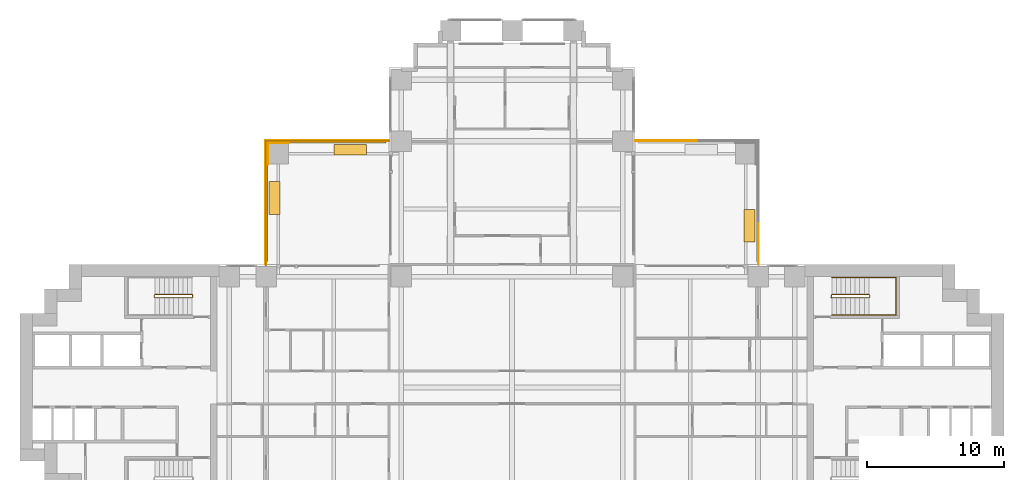
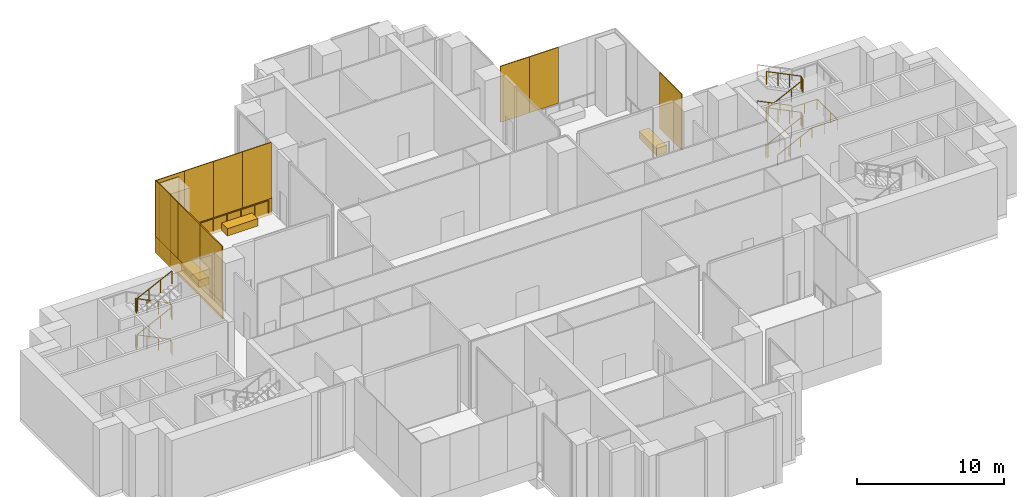
# One storey, part 16 of 17: 16 coverings, 4 railings.
"""IFC4 building model written with IfcOpenShell, lengths in metres."""

from ifc_helpers import new_model, si_unit, direction, frame, origin, origin_2d, place, context, subcontext, project, spatial, polyline, rectangle, outline, extrude, material, layer, layer_set, type_object, element, save


model = new_model("IFC4")

# Units and contexts
model_context = context("Model", 3, precision=1e-05, world=origin(), true_north=direction((0.0, 1.0)))
body_context = subcontext(model_context, "Body", "Model", "MODEL_VIEW")
ifc_project = project(units=[si_unit("LENGTHUNIT", "METRE"), si_unit("AREAUNIT", "SQUARE_METRE"), si_unit("VOLUMEUNIT", "CUBIC_METRE"), si_unit("PLANEANGLEUNIT", "RADIAN"), si_unit("MASSUNIT", "GRAM", prefix="KILO")], contexts=[model_context])

# Site, building, storey
site_placement = place(None, origin())
site = spatial("IfcSite", under=ifc_project, at=site_placement, CompositionType="ELEMENT")
building_placement = place(site_placement, origin())
building = spatial("IfcBuilding", under=site, at=building_placement, Name="Perihelion Cross Residences", CompositionType="ELEMENT")
storey_placement = place(building_placement, frame((0.0, 0.0, 21.0)))
storey = spatial("IfcBuildingStorey", under=building, at=storey_placement, Name="L02", CompositionType="ELEMENT", Elevation=21.0)

# Railing
ifc_material_1 = material(Name="Bronze anodised aluminium", Category="aluminium")
railing_type_1 = type_object("IfcRailingType", Name="Balcony guard 1100", PredefinedType="GUARDRAIL", material=ifc_material_1)
railing_1_placement = place(storey_placement, frame((-17.93994140625, 9.25, 0.0)))
element("IfcRailing", 1, at=railing_1_placement, inside=storey, type_object=railing_type_1, Name="Guard GU1 L02 pocket north-west 1", PredefinedType="GUARDRAIL", context=body_context, shape_type="SweptSolid", body=[
    extrude(rectangle(XDim=0.048095703125, YDim=0.048095703125, at=origin_2d()), frame((0.0, 0.0, 1.076171875), z_axis=(0.0, 1.0, 0.0), x_axis=(-1.0, 0.0, 0.0)), (0.0, 0.0, 1.0), 8.68994140625),
    extrude(rectangle(XDim=0.048095703125, YDim=0.048095703125, at=origin_2d()), frame((0.0, 8.68994140625, 1.076171875), z_axis=(1.0, 0.0, 0.0), x_axis=(0.0, 1.0, 0.0)), (0.0, 0.0, 1.0), 8.68994140625),
    extrude(rectangle(XDim=0.0419921875, YDim=0.0419921875, at=origin_2d()), origin(), (0.0, 0.0, 1.0), 1.052001953125),
    extrude(rectangle(XDim=0.0419921875, YDim=0.0419921875, at=origin_2d()), frame((0.0, 1.086181640625, 0.0)), (0.0, 0.0, 1.0), 1.052001953125),
    extrude(rectangle(XDim=0.0419921875, YDim=0.0419921875, at=origin_2d()), frame((0.0, 2.17236328125, 0.0)), (0.0, 0.0, 1.0), 1.052001953125),
    extrude(rectangle(XDim=0.0419921875, YDim=0.0419921875, at=origin_2d()), frame((0.0, 3.2587890625, 0.0)), (0.0, 0.0, 1.0), 1.052001953125),
    extrude(rectangle(XDim=0.0419921875, YDim=0.0419921875, at=origin_2d()), frame((0.0, 4.344970703125, 0.0)), (0.0, 0.0, 1.0), 1.052001953125),
    extrude(rectangle(XDim=0.0419921875, YDim=0.0419921875, at=origin_2d()), frame((0.0, 5.43115234375, 0.0)), (0.0, 0.0, 1.0), 1.052001953125),
    extrude(rectangle(XDim=0.0419921875, YDim=0.0419921875, at=origin_2d()), frame((0.0, 6.517578125, 0.0)), (0.0, 0.0, 1.0), 1.052001953125),
    extrude(rectangle(XDim=0.0419921875, YDim=0.0419921875, at=origin_2d()), frame((0.0, 7.603759765625, 0.0)), (0.0, 0.0, 1.0), 1.052001953125),
    extrude(rectangle(XDim=0.0419921875, YDim=0.0419921875, at=origin_2d()), frame((0.0, 8.68994140625, 0.0)), (0.0, 0.0, 1.0), 1.052001953125),
    extrude(rectangle(XDim=0.0419921875, YDim=0.0419921875, at=origin_2d()), frame((1.086181640625, 8.68994140625, 0.0)), (0.0, 0.0, 1.0), 1.052001953125),
    extrude(rectangle(XDim=0.0419921875, YDim=0.0419921875, at=origin_2d()), frame((2.17236328125, 8.68994140625, 0.0)), (0.0, 0.0, 1.0), 1.052001953125),
    extrude(rectangle(XDim=0.0419921875, YDim=0.0419921875, at=origin_2d()), frame((3.2587890625, 8.68994140625, 0.0)), (0.0, 0.0, 1.0), 1.052001953125),
    extrude(rectangle(XDim=0.0419921875, YDim=0.0419921875, at=origin_2d()), frame((4.344970703125, 8.68994140625, 0.0)), (0.0, 0.0, 1.0), 1.052001953125),
    extrude(rectangle(XDim=0.0419921875, YDim=0.0419921875, at=origin_2d()), frame((5.43115234375, 8.68994140625, 0.0)), (0.0, 0.0, 1.0), 1.052001953125),
    extrude(rectangle(XDim=0.0419921875, YDim=0.0419921875, at=origin_2d()), frame((6.517578125, 8.68994140625, 0.0)), (0.0, 0.0, 1.0), 1.052001953125),
    extrude(rectangle(XDim=0.0419921875, YDim=0.0419921875, at=origin_2d()), frame((7.603759765625, 8.68994140625, 0.0)), (0.0, 0.0, 1.0), 1.052001953125),
    extrude(rectangle(XDim=0.0419921875, YDim=0.0419921875, at=origin_2d()), frame((8.68994140625, 8.68994140625, 0.0)), (0.0, 0.0, 1.0), 1.052001953125),
])

# Coverings
ifc_material_2 = material(Name="Bronze anodised aluminium", Category="aluminium")
ifc_layer_1 = layer(ifc_material_2, 0.0400390625)
ifc_layer_set_1 = layer_set([ifc_layer_1], Name="Bronze column casing 40")
covering_type_1 = type_object("IfcCoveringType", Name="Bronze column casing 40", PredefinedType="CLADDING", material=ifc_layer_set_1)
covering_1_placement = place(storey_placement, frame((-17.8701171875, 17.10009765625, -0.300048828125), z_axis=(0.0, 0.0, 1.0), x_axis=(1.0, 0.0, 0.0)))
element("IfcCovering", 2, at=covering_1_placement, inside=storey, type_object=covering_type_1, Name="Cladding CC1 L02 casing east-west no. 2", PredefinedType="CLADDING", context=body_context, shape_type="SweptSolid", body=[
    extrude(rectangle(XDim=0.0400390625, YDim=1.580078125, at=origin_2d()), origin(), (0.0, 0.0, 1.0), 5.85009765625),
])
covering_2_placement = place(storey_placement, frame((-17.10009765625, 17.8701171875, -0.300048828125), z_axis=(0.0, 0.0, 1.0), x_axis=(1.0, 0.0, 0.0)))
element("IfcCovering", 3, at=covering_2_placement, inside=storey, type_object=covering_type_1, Name="Cladding CC1 L02 casing north-south no. 2", PredefinedType="CLADDING", context=body_context, shape_type="SweptSolid", body=[
    extrude(rectangle(XDim=1.5, YDim=0.0400390625, at=origin_2d()), origin(), (0.0, 0.0, 1.0), 5.85009765625),
])
ifc_material_3 = material(Name="Precast concrete C40/50", Category="concrete")
covering_type_2 = type_object("IfcCoveringType", Name="Planter box 2400", PredefinedType="USERDEFINED", material=ifc_material_3)
for number, where, z_axis, x_axis, name in (
    (4, (17.389892578125, 11.830078125, 0.0), (0.0, 0.0, 1.0), (0.0, -1.0, 0.0), "Planter PT1 L02 pocket north-east 2"),
    (5, (-17.389892578125, 13.85009765625, 0.0), (0.0, 0.0, 1.0), (0.0, 1.0, 0.0), "Planter PT1 L02 pocket north-west 1"),
    (6, (-11.830078125, 17.389892578125, 0.0), (0.0, 0.0, 1.0), (1.0, 0.0, 0.0), "Planter PT1 L02 pocket north-west 2"),
):
    element("IfcCovering", number, at=place(storey_placement, frame(where, z_axis=z_axis, x_axis=x_axis)), inside=storey, type_object=covering_type_2, Name=name, ObjectType="PLANTER", PredefinedType="USERDEFINED", context=body_context, shape_type="SweptSolid", body=[
        extrude(rectangle(XDim=2.39990234375, YDim=0.800048828125, at=origin_2d()), origin(), (0.0, 0.0, 1.0), 0.60009765625),
    ])
ifc_material_4 = material(Name="Bronze anodised aluminium", Category="aluminium")
ifc_layer_2 = layer(ifc_material_4, 0.070068359375)
ifc_layer_set_2 = layer_set([ifc_layer_2], Name="Pocket fascia 1350")
covering_type_3 = type_object("IfcCoveringType", Name="Pocket fascia 1350", PredefinedType="CLADDING", material=ifc_layer_set_2)
covering_3_placement = place(storey_placement, frame((0.0, 0.0, -0.25)))
element("IfcCovering", 7, at=covering_3_placement, inside=storey, type_object=covering_type_3, Name="Fascia BF2 L02 pocket north-west 1", PredefinedType="CLADDING", context=body_context, shape_type="SweptSolid", body=[
    extrude(outline(polyline([(-18.070068359375, 8.929931640625), (-18.0, 8.929931640625), (-18.0, 9.0), (-18.0, 9.0), (-18.0, 18.0), (-9.0, 18.0), (-9.0, 18.0), (-8.929931640625, 18.0), (-8.929931640625, 18.070068359375), (-18.070068359375, 18.070068359375), (-18.070068359375, 8.929931640625)])), origin(), (0.0, 0.0, 1.0), 1.35009765625),
])
ifc_material_5 = material(Name="Bronze perforated aluminium", Category="aluminium")
ifc_layer_3 = layer(ifc_material_5, 0.070068359375)
ifc_layer_set_3 = layer_set([ifc_layer_3], Name="Pocket solar screen, bronze perforated")
covering_type_4 = type_object("IfcCoveringType", Name="Pocket solar screen, bronze perforated", PredefinedType="CLADDING", material=ifc_layer_set_3)
covering_4_placement = place(storey_placement, frame((0.0, 0.0, 1.10009765625)))
element("IfcCovering", 8, at=covering_4_placement, inside=storey, type_object=covering_type_4, Name="Solar screen PS1 L02 pocket north-east no. 1", PredefinedType="CLADDING", context=body_context, shape_type="SweptSolid", body=[
    extrude(outline(polyline([(18.070068359375, 9.0), (18.070068359375, 12.0), (18.0, 12.0), (18.0, 9.0), (18.070068359375, 9.0)])), origin(), (0.0, 0.0, 1.0), 4.64990234375),
])
covering_5_placement = place(storey_placement, frame((0.0, 0.0, 1.10009765625)))
element("IfcCovering", 9, at=covering_5_placement, inside=storey, type_object=covering_type_4, Name="Solar screen PS1 L02 pocket north-east no. 4", PredefinedType="CLADDING", context=body_context, shape_type="SweptSolid", body=[
    extrude(outline(polyline([(11.267578125, 18.0), (11.267578125, 18.070068359375), (9.0, 18.070068359375), (9.0, 18.0), (11.267578125, 18.0)])), origin(), (0.0, 0.0, 1.0), 4.64990234375),
])
covering_6_placement = place(storey_placement, frame((0.0, 0.0, 1.10009765625)))
element("IfcCovering", 10, at=covering_6_placement, inside=storey, type_object=covering_type_4, Name="Solar screen PS1 L02 pocket north-east no. 5", PredefinedType="CLADDING", context=body_context, shape_type="SweptSolid", body=[
    extrude(outline(polyline([(13.534912109375, 18.0), (13.534912109375, 18.070068359375), (11.267578125, 18.070068359375), (11.267578125, 18.0), (13.534912109375, 18.0)])), origin(), (0.0, 0.0, 1.0), 4.64990234375),
])
covering_7_placement = place(storey_placement, frame((0.0, 0.0, 1.10009765625)))
element("IfcCovering", 11, at=covering_7_placement, inside=storey, type_object=covering_type_4, Name="Solar screen PS1 L02 pocket north-west no. 1", PredefinedType="CLADDING", context=body_context, shape_type="SweptSolid", body=[
    extrude(outline(polyline([(-18.0, 9.0), (-18.0, 12.0), (-18.070068359375, 12.0), (-18.070068359375, 9.0), (-18.0, 9.0)])), origin(), (0.0, 0.0, 1.0), 4.64990234375),
])
covering_8_placement = place(storey_placement, frame((0.0, 0.0, 1.10009765625)))
element("IfcCovering", 12, at=covering_8_placement, inside=storey, type_object=covering_type_4, Name="Solar screen PS1 L02 pocket north-west no. 2", PredefinedType="CLADDING", context=body_context, shape_type="SweptSolid", body=[
    extrude(outline(polyline([(-18.0, 12.0), (-18.0, 15.0), (-18.070068359375, 15.0), (-18.070068359375, 12.0), (-18.0, 12.0)])), origin(), (0.0, 0.0, 1.0), 4.64990234375),
])
covering_9_placement = place(storey_placement, frame((0.0, 0.0, 1.10009765625)))
element("IfcCovering", 13, at=covering_9_placement, inside=storey, type_object=covering_type_4, Name="Solar screen PS1 L02 pocket north-west no. 3", PredefinedType="CLADDING", context=body_context, shape_type="SweptSolid", body=[
    extrude(outline(polyline([(-18.0, 15.0), (-18.0, 18.0), (-18.070068359375, 18.0), (-18.070068359375, 15.0), (-18.0, 15.0)])), origin(), (0.0, 0.0, 1.0), 4.64990234375),
])
covering_10_placement = place(storey_placement, frame((0.0, 0.0, 1.10009765625)))
element("IfcCovering", 14, at=covering_10_placement, inside=storey, type_object=covering_type_4, Name="Solar screen PS1 L02 pocket north-west no. 4", PredefinedType="CLADDING", context=body_context, shape_type="SweptSolid", body=[
    extrude(outline(polyline([(-15.802490234375, 18.0), (-15.802490234375, 18.070068359375), (-18.070068359375, 18.070068359375), (-18.070068359375, 18.0), (-15.802490234375, 18.0)])), origin(), (0.0, 0.0, 1.0), 4.64990234375),
])
covering_11_placement = place(storey_placement, frame((0.0, 0.0, 1.10009765625)))
element("IfcCovering", 15, at=covering_11_placement, inside=storey, type_object=covering_type_4, Name="Solar screen PS1 L02 pocket north-west no. 5", PredefinedType="CLADDING", context=body_context, shape_type="SweptSolid", body=[
    extrude(outline(polyline([(-13.534912109375, 18.0), (-13.534912109375, 18.070068359375), (-15.802490234375, 18.070068359375), (-15.802490234375, 18.0), (-13.534912109375, 18.0)])), origin(), (0.0, 0.0, 1.0), 4.64990234375),
])
covering_12_placement = place(storey_placement, frame((0.0, 0.0, 1.10009765625)))
element("IfcCovering", 16, at=covering_12_placement, inside=storey, type_object=covering_type_4, Name="Solar screen PS1 L02 pocket north-west no. 6", PredefinedType="CLADDING", context=body_context, shape_type="SweptSolid", body=[
    extrude(outline(polyline([(-11.267578125, 18.0), (-11.267578125, 18.070068359375), (-13.534912109375, 18.070068359375), (-13.534912109375, 18.0), (-11.267578125, 18.0)])), origin(), (0.0, 0.0, 1.0), 4.64990234375),
])
covering_13_placement = place(storey_placement, frame((0.0, 0.0, 1.10009765625)))
element("IfcCovering", 17, at=covering_13_placement, inside=storey, type_object=covering_type_4, Name="Solar screen PS1 L02 pocket north-west no. 7", PredefinedType="CLADDING", context=body_context, shape_type="SweptSolid", body=[
    extrude(outline(polyline([(-9.0, 18.0), (-9.0, 18.070068359375), (-11.267578125, 18.070068359375), (-11.267578125, 18.0), (-9.0, 18.0)])), origin(), (0.0, 0.0, 1.0), 4.64990234375),
])

# Railings
ifc_material_6 = material(Name="Stainless steel", Category="steel")
railing_type_2 = type_object("IfcRailingType", Name="Stair guard 1100", PredefinedType="GUARDRAIL", material=ifc_material_6)
railing_2_placement = place(storey_placement, frame((23.35009765625, 6.75, 0.0)))
element("IfcRailing", 18, at=railing_2_placement, inside=storey, type_object=railing_type_2, Name="L02 ST-E1 stair guard 1", PredefinedType="GUARDRAIL", context=body_context, shape_type="SweptSolid", body=[
    extrude(rectangle(XDim=0.048095703125, YDim=0.048095703125, at=origin_2d()), frame((0.0, 0.0, 1.076171875), z_axis=(0.0, -1.0, 0.0), x_axis=(1.0, 0.0, 0.0)), (0.0, 0.0, 1.0), 0.14990234375),
    extrude(rectangle(XDim=0.048095703125, YDim=0.048095703125, at=origin_2d()), frame((0.0, -0.14990234375, 1.076171875), z_axis=(0.275041040955, -0.276389281352, 0.920848191041), x_axis=(0.708833529934, 0.705375805398, 0.0)), (0.0, 0.0, 1.0), 0.18115234375),
    extrude(rectangle(XDim=0.048095703125, YDim=0.048095703125, at=origin_2d()), frame((0.0498046875, -0.199951171875, 1.24267578125), z_axis=(0.897945078525, 0.0, 0.440107527717), x_axis=(0.0, 1.0, 0.0)), (0.0, 0.0, 1.0), 3.029296875),
    extrude(rectangle(XDim=0.048095703125, YDim=0.048095703125, at=origin_2d()), frame((2.77001953125, -0.199951171875, 2.576171875), z_axis=(0.705375805398, 0.708833529934, 0.0), x_axis=(-0.708833529934, 0.705375805398, 0.0)), (0.0, 0.0, 1.0), 0.070556640625),
    extrude(rectangle(XDim=0.048095703125, YDim=0.048095703125, at=origin_2d()), frame((2.81982421875, -0.14990234375, 2.576171875), z_axis=(0.0, 1.0, 0.0), x_axis=(-1.0, 0.0, 0.0)), (0.0, 0.0, 1.0), 0.14990234375),
    extrude(rectangle(XDim=0.048095703125, YDim=0.048095703125, at=origin_2d()), frame((2.81982421875, 0.0, 2.576171875), z_axis=(-0.275041040955, 0.276389281352, 0.920848191041), x_axis=(-0.708833529934, -0.705375805398, 0.0)), (0.0, 0.0, 1.0), 0.18115234375),
    extrude(rectangle(XDim=0.048095703125, YDim=0.048095703125, at=origin_2d()), frame((2.77001953125, 0.050048828125, 2.74267578125), z_axis=(-0.897945078525, 0.0, 0.440107527717), x_axis=(0.0, -1.0, 0.0)), (0.0, 0.0, 1.0), 3.029296875),
    extrude(rectangle(XDim=0.048095703125, YDim=0.048095703125, at=origin_2d()), frame((0.0498046875, 0.050048828125, 4.076171875), z_axis=(-0.241699205484, -0.970351222016, 0.0), x_axis=(0.970351222016, -0.241699205484, 0.0)), (0.0, 0.0, 1.0), 0.2060546875),
    extrude(rectangle(XDim=0.048095703125, YDim=0.048095703125, at=origin_2d()), frame((0.0, -0.14990234375, 4.076171875), z_axis=(0.0, 1.0, 0.0), x_axis=(-1.0, 0.0, 0.0)), (0.0, 0.0, 1.0), 0.14990234375),
    extrude(rectangle(XDim=0.048095703125, YDim=0.048095703125, at=origin_2d()), frame((0.0, 0.0, 4.076171875), z_axis=(0.1878875253, -0.754313153044, 0.629054802844), x_axis=(0.970351222016, 0.241699205484, 0.0)), (0.0, 0.0, 1.0), 0.26513671875),
    extrude(rectangle(XDim=0.048095703125, YDim=0.048095703125, at=origin_2d()), frame((0.0498046875, -0.199951171875, 4.24267578125), z_axis=(0.897945078525, 0.0, 0.440107527717), x_axis=(0.0, 1.0, 0.0)), (0.0, 0.0, 1.0), 3.029296875),
    extrude(rectangle(XDim=0.048095703125, YDim=0.048095703125, at=origin_2d()), frame((2.77001953125, -0.199951171875, 5.576171875), z_axis=(0.705375805398, 0.708833529934, 0.0), x_axis=(-0.708833529934, 0.705375805398, 0.0)), (0.0, 0.0, 1.0), 0.070556640625),
    extrude(rectangle(XDim=0.048095703125, YDim=0.048095703125, at=origin_2d()), frame((2.81982421875, -0.14990234375, 5.576171875), z_axis=(0.0, 1.0, 0.0), x_axis=(-1.0, 0.0, 0.0)), (0.0, 0.0, 1.0), 0.14990234375),
    extrude(rectangle(XDim=0.048095703125, YDim=0.048095703125, at=origin_2d()), frame((2.81982421875, 0.0, 5.576171875), z_axis=(-0.275041040955, 0.276389281352, 0.920848191041), x_axis=(-0.708833529934, -0.705375805398, 0.0)), (0.0, 0.0, 1.0), 0.18115234375),
    extrude(rectangle(XDim=0.048095703125, YDim=0.048095703125, at=origin_2d()), frame((2.77001953125, 0.050048828125, 5.74267578125), z_axis=(-0.897945078525, 0.0, 0.440107527717), x_axis=(0.0, -1.0, 0.0)), (0.0, 0.0, 1.0), 3.029296875),
    extrude(rectangle(XDim=0.0419921875, YDim=0.0419921875, at=origin_2d()), origin(), (0.0, 0.0, 1.0), 1.052001953125),
    extrude(rectangle(XDim=0.0419921875, YDim=0.0419921875, at=origin_2d()), frame((0.0, -0.14990234375, 0.0)), (0.0, 0.0, 1.0), 1.052001953125),
    extrude(rectangle(XDim=0.0419921875, YDim=0.0419921875, at=origin_2d()), frame((0.0498046875, -0.199951171875, 0.166748046875)), (0.0, 0.0, 1.0), 1.052001953125),
    extrude(rectangle(XDim=0.0419921875, YDim=0.0419921875, at=origin_2d()), frame((0.95654296875, -0.199951171875, 0.611083984375)), (0.0, 0.0, 1.0), 1.052001953125),
    extrude(rectangle(XDim=0.0419921875, YDim=0.0419921875, at=origin_2d()), frame((1.86328125, -0.199951171875, 1.0556640625)), (0.0, 0.0, 1.0), 1.052001953125),
    extrude(rectangle(XDim=0.0419921875, YDim=0.0419921875, at=origin_2d()), frame((2.77001953125, -0.199951171875, 1.5)), (0.0, 0.0, 1.0), 1.052001953125),
    extrude(rectangle(XDim=0.0419921875, YDim=0.0419921875, at=origin_2d()), frame((2.81982421875, -0.14990234375, 1.5)), (0.0, 0.0, 1.0), 1.052001953125),
    extrude(rectangle(XDim=0.0419921875, YDim=0.0419921875, at=origin_2d()), frame((2.81982421875, 0.0, 1.5)), (0.0, 0.0, 1.0), 1.052001953125),
    extrude(rectangle(XDim=0.0419921875, YDim=0.0419921875, at=origin_2d()), frame((2.77001953125, 0.050048828125, 1.666748046875)), (0.0, 0.0, 1.0), 1.052001953125),
    extrude(rectangle(XDim=0.0419921875, YDim=0.0419921875, at=origin_2d()), frame((1.86328125, 0.050048828125, 2.111083984375)), (0.0, 0.0, 1.0), 1.052001953125),
    extrude(rectangle(XDim=0.0419921875, YDim=0.0419921875, at=origin_2d()), frame((0.95654296875, 0.050048828125, 2.5556640625)), (0.0, 0.0, 1.0), 1.052001953125),
    extrude(rectangle(XDim=0.0419921875, YDim=0.0419921875, at=origin_2d()), frame((0.0498046875, 0.050048828125, 3.0)), (0.0, 0.0, 1.0), 1.052001953125),
    extrude(rectangle(XDim=0.0419921875, YDim=0.0419921875, at=origin_2d()), frame((0.0, -0.14990234375, 3.0)), (0.0, 0.0, 1.0), 1.052001953125),
    extrude(rectangle(XDim=0.0419921875, YDim=0.0419921875, at=origin_2d()), frame((0.0, 0.0, 3.0)), (0.0, 0.0, 1.0), 1.052001953125),
    extrude(rectangle(XDim=0.0419921875, YDim=0.0419921875, at=origin_2d()), frame((0.0498046875, -0.199951171875, 3.166748046875)), (0.0, 0.0, 1.0), 1.052001953125),
    extrude(rectangle(XDim=0.0419921875, YDim=0.0419921875, at=origin_2d()), frame((0.95654296875, -0.199951171875, 3.611083984375)), (0.0, 0.0, 1.0), 1.052001953125),
    extrude(rectangle(XDim=0.0419921875, YDim=0.0419921875, at=origin_2d()), frame((1.86328125, -0.199951171875, 4.0556640625)), (0.0, 0.0, 1.0), 1.052001953125),
    extrude(rectangle(XDim=0.0419921875, YDim=0.0419921875, at=origin_2d()), frame((2.77001953125, -0.199951171875, 4.5)), (0.0, 0.0, 1.0), 1.052001953125),
    extrude(rectangle(XDim=0.0419921875, YDim=0.0419921875, at=origin_2d()), frame((2.81982421875, -0.14990234375, 4.5)), (0.0, 0.0, 1.0), 1.052001953125),
    extrude(rectangle(XDim=0.0419921875, YDim=0.0419921875, at=origin_2d()), frame((2.81982421875, 0.0, 4.5)), (0.0, 0.0, 1.0), 1.052001953125),
    extrude(rectangle(XDim=0.0419921875, YDim=0.0419921875, at=origin_2d()), frame((2.77001953125, 0.050048828125, 4.666748046875)), (0.0, 0.0, 1.0), 1.052001953125),
    extrude(rectangle(XDim=0.0419921875, YDim=0.0419921875, at=origin_2d()), frame((1.86328125, 0.050048828125, 5.111083984375)), (0.0, 0.0, 1.0), 1.052001953125),
    extrude(rectangle(XDim=0.0419921875, YDim=0.0419921875, at=origin_2d()), frame((0.95654296875, 0.050048828125, 5.5556640625)), (0.0, 0.0, 1.0), 1.052001953125),
    extrude(rectangle(XDim=0.0419921875, YDim=0.0419921875, at=origin_2d()), frame((0.0498046875, 0.050048828125, 6.0)), (0.0, 0.0, 1.0), 1.052001953125),
])
railing_3_placement = place(storey_placement, frame((-23.35009765625, 6.60009765625, 0.0)))
element("IfcRailing", 19, at=railing_3_placement, inside=storey, type_object=railing_type_2, Name="L02 ST-W1 stair guard 1", PredefinedType="GUARDRAIL", context=body_context, shape_type="SweptSolid", body=[
    extrude(rectangle(XDim=0.048095703125, YDim=0.048095703125, at=origin_2d()), frame((0.0, 0.0, 1.076171875), z_axis=(0.0, 1.0, 0.0), x_axis=(-1.0, 0.0, 0.0)), (0.0, 0.0, 1.0), 0.14990234375),
    extrude(rectangle(XDim=0.048095703125, YDim=0.048095703125, at=origin_2d()), frame((0.0, 0.14990234375, 1.076171875), z_axis=(-0.275041040955, 0.276389281352, 0.920848191041), x_axis=(-0.708833529934, -0.705375805398, 0.0)), (0.0, 0.0, 1.0), 0.18115234375),
    extrude(rectangle(XDim=0.048095703125, YDim=0.048095703125, at=origin_2d()), frame((-0.0498046875, 0.199951171875, 1.24267578125), z_axis=(-0.897945078525, 0.0, 0.440107527717), x_axis=(0.0, -1.0, 0.0)), (0.0, 0.0, 1.0), 3.029296875),
    extrude(rectangle(XDim=0.048095703125, YDim=0.048095703125, at=origin_2d()), frame((-2.77001953125, 0.199951171875, 2.576171875), z_axis=(-0.705375805398, -0.708833529934, 0.0), x_axis=(0.708833529934, -0.705375805398, 0.0)), (0.0, 0.0, 1.0), 0.070556640625),
    extrude(rectangle(XDim=0.048095703125, YDim=0.048095703125, at=origin_2d()), frame((-2.81982421875, 0.14990234375, 2.576171875), z_axis=(0.0, -1.0, 0.0), x_axis=(1.0, 0.0, 0.0)), (0.0, 0.0, 1.0), 0.14990234375),
    extrude(rectangle(XDim=0.048095703125, YDim=0.048095703125, at=origin_2d()), frame((-2.81982421875, 0.0, 2.576171875), z_axis=(0.275041040955, -0.276389281352, 0.920848191041), x_axis=(0.708833529934, 0.705375805398, 0.0)), (0.0, 0.0, 1.0), 0.18115234375),
    extrude(rectangle(XDim=0.048095703125, YDim=0.048095703125, at=origin_2d()), frame((-2.77001953125, -0.050048828125, 2.74267578125), z_axis=(0.897945078525, 0.0, 0.440107527717), x_axis=(0.0, 1.0, 0.0)), (0.0, 0.0, 1.0), 3.029296875),
    extrude(rectangle(XDim=0.048095703125, YDim=0.048095703125, at=origin_2d()), frame((-0.0498046875, -0.050048828125, 4.076171875), z_axis=(0.241699205484, 0.970351222016, 0.0), x_axis=(-0.970351222016, 0.241699205484, 0.0)), (0.0, 0.0, 1.0), 0.2060546875),
    extrude(rectangle(XDim=0.048095703125, YDim=0.048095703125, at=origin_2d()), frame((0.0, 0.14990234375, 4.076171875), z_axis=(0.0, -1.0, 0.0), x_axis=(1.0, 0.0, 0.0)), (0.0, 0.0, 1.0), 0.14990234375),
    extrude(rectangle(XDim=0.048095703125, YDim=0.048095703125, at=origin_2d()), frame((0.0, 0.0, 4.076171875), z_axis=(-0.1878875253, 0.754313153044, 0.629054802844), x_axis=(-0.970351222016, -0.241699205484, 0.0)), (0.0, 0.0, 1.0), 0.26513671875),
    extrude(rectangle(XDim=0.048095703125, YDim=0.048095703125, at=origin_2d()), frame((-0.0498046875, 0.199951171875, 4.24267578125), z_axis=(-0.897945078525, 0.0, 0.440107527717), x_axis=(0.0, -1.0, 0.0)), (0.0, 0.0, 1.0), 3.029296875),
    extrude(rectangle(XDim=0.048095703125, YDim=0.048095703125, at=origin_2d()), frame((-2.77001953125, 0.199951171875, 5.576171875), z_axis=(-0.705375805398, -0.708833529934, 0.0), x_axis=(0.708833529934, -0.705375805398, 0.0)), (0.0, 0.0, 1.0), 0.070556640625),
    extrude(rectangle(XDim=0.048095703125, YDim=0.048095703125, at=origin_2d()), frame((-2.81982421875, 0.14990234375, 5.576171875), z_axis=(0.0, -1.0, 0.0), x_axis=(1.0, 0.0, 0.0)), (0.0, 0.0, 1.0), 0.14990234375),
    extrude(rectangle(XDim=0.048095703125, YDim=0.048095703125, at=origin_2d()), frame((-2.81982421875, 0.0, 5.576171875), z_axis=(0.275041040955, -0.276389281352, 0.920848191041), x_axis=(0.708833529934, 0.705375805398, 0.0)), (0.0, 0.0, 1.0), 0.18115234375),
    extrude(rectangle(XDim=0.048095703125, YDim=0.048095703125, at=origin_2d()), frame((-2.77001953125, -0.050048828125, 5.74267578125), z_axis=(0.897945078525, 0.0, 0.440107527717), x_axis=(0.0, 1.0, 0.0)), (0.0, 0.0, 1.0), 3.029296875),
    extrude(rectangle(XDim=0.0419921875, YDim=0.0419921875, at=origin_2d()), origin(), (0.0, 0.0, 1.0), 1.052001953125),
    extrude(rectangle(XDim=0.0419921875, YDim=0.0419921875, at=origin_2d()), frame((0.0, 0.14990234375, 0.0)), (0.0, 0.0, 1.0), 1.052001953125),
    extrude(rectangle(XDim=0.0419921875, YDim=0.0419921875, at=origin_2d()), frame((-0.0498046875, 0.199951171875, 0.166748046875)), (0.0, 0.0, 1.0), 1.052001953125),
    extrude(rectangle(XDim=0.0419921875, YDim=0.0419921875, at=origin_2d()), frame((-0.95654296875, 0.199951171875, 0.611083984375)), (0.0, 0.0, 1.0), 1.052001953125),
    extrude(rectangle(XDim=0.0419921875, YDim=0.0419921875, at=origin_2d()), frame((-1.86328125, 0.199951171875, 1.0556640625)), (0.0, 0.0, 1.0), 1.052001953125),
    extrude(rectangle(XDim=0.0419921875, YDim=0.0419921875, at=origin_2d()), frame((-2.77001953125, 0.199951171875, 1.5)), (0.0, 0.0, 1.0), 1.052001953125),
    extrude(rectangle(XDim=0.0419921875, YDim=0.0419921875, at=origin_2d()), frame((-2.81982421875, 0.14990234375, 1.5)), (0.0, 0.0, 1.0), 1.052001953125),
    extrude(rectangle(XDim=0.0419921875, YDim=0.0419921875, at=origin_2d()), frame((-2.81982421875, 0.0, 1.5)), (0.0, 0.0, 1.0), 1.052001953125),
    extrude(rectangle(XDim=0.0419921875, YDim=0.0419921875, at=origin_2d()), frame((-2.77001953125, -0.050048828125, 1.666748046875)), (0.0, 0.0, 1.0), 1.052001953125),
    extrude(rectangle(XDim=0.0419921875, YDim=0.0419921875, at=origin_2d()), frame((-1.86328125, -0.050048828125, 2.111083984375)), (0.0, 0.0, 1.0), 1.052001953125),
    extrude(rectangle(XDim=0.0419921875, YDim=0.0419921875, at=origin_2d()), frame((-0.95654296875, -0.050048828125, 2.5556640625)), (0.0, 0.0, 1.0), 1.052001953125),
    extrude(rectangle(XDim=0.0419921875, YDim=0.0419921875, at=origin_2d()), frame((-0.0498046875, -0.050048828125, 3.0)), (0.0, 0.0, 1.0), 1.052001953125),
    extrude(rectangle(XDim=0.0419921875, YDim=0.0419921875, at=origin_2d()), frame((0.0, 0.14990234375, 3.0)), (0.0, 0.0, 1.0), 1.052001953125),
    extrude(rectangle(XDim=0.0419921875, YDim=0.0419921875, at=origin_2d()), frame((0.0, 0.0, 3.0)), (0.0, 0.0, 1.0), 1.052001953125),
    extrude(rectangle(XDim=0.0419921875, YDim=0.0419921875, at=origin_2d()), frame((-0.0498046875, 0.199951171875, 3.166748046875)), (0.0, 0.0, 1.0), 1.052001953125),
    extrude(rectangle(XDim=0.0419921875, YDim=0.0419921875, at=origin_2d()), frame((-0.95654296875, 0.199951171875, 3.611083984375)), (0.0, 0.0, 1.0), 1.052001953125),
    extrude(rectangle(XDim=0.0419921875, YDim=0.0419921875, at=origin_2d()), frame((-1.86328125, 0.199951171875, 4.0556640625)), (0.0, 0.0, 1.0), 1.052001953125),
    extrude(rectangle(XDim=0.0419921875, YDim=0.0419921875, at=origin_2d()), frame((-2.77001953125, 0.199951171875, 4.5)), (0.0, 0.0, 1.0), 1.052001953125),
    extrude(rectangle(XDim=0.0419921875, YDim=0.0419921875, at=origin_2d()), frame((-2.81982421875, 0.14990234375, 4.5)), (0.0, 0.0, 1.0), 1.052001953125),
    extrude(rectangle(XDim=0.0419921875, YDim=0.0419921875, at=origin_2d()), frame((-2.81982421875, 0.0, 4.5)), (0.0, 0.0, 1.0), 1.052001953125),
    extrude(rectangle(XDim=0.0419921875, YDim=0.0419921875, at=origin_2d()), frame((-2.77001953125, -0.050048828125, 4.666748046875)), (0.0, 0.0, 1.0), 1.052001953125),
    extrude(rectangle(XDim=0.0419921875, YDim=0.0419921875, at=origin_2d()), frame((-1.86328125, -0.050048828125, 5.111083984375)), (0.0, 0.0, 1.0), 1.052001953125),
    extrude(rectangle(XDim=0.0419921875, YDim=0.0419921875, at=origin_2d()), frame((-0.95654296875, -0.050048828125, 5.5556640625)), (0.0, 0.0, 1.0), 1.052001953125),
    extrude(rectangle(XDim=0.0419921875, YDim=0.0419921875, at=origin_2d()), frame((-0.0498046875, -0.050048828125, 6.0)), (0.0, 0.0, 1.0), 1.052001953125),
])
ifc_material_7 = material(Name="Stainless steel", Category="steel")
railing_type_3 = type_object("IfcRailingType", Name="Stair handrail 900", PredefinedType="HANDRAIL", material=ifc_material_7)
railing_4_placement = place(storey_placement, frame((23.39990234375, 5.300048828125, 0.166748046875)))
element("IfcRailing", 20, at=railing_4_placement, inside=storey, type_object=railing_type_3, Name="L02 ST-E1 stair handrail 1", PredefinedType="HANDRAIL", context=body_context, shape_type="SweptSolid", body=[
    extrude(rectangle(XDim=0.048095703125, YDim=0.048095703125, at=origin_2d()), frame((0.0, 0.0, 0.8759765625), z_axis=(0.897945078525, 0.0, 0.440107527717), x_axis=(0.0, 1.0, 0.0)), (0.0, 0.0, 1.0), 3.029296875),
    extrude(rectangle(XDim=0.048095703125, YDim=0.048095703125, at=origin_2d()), frame((2.72021484375, 0.0, 2.208984375), z_axis=(1.0, 0.0, 0.0), x_axis=(0.0, 1.0, 0.0)), (0.0, 0.0, 1.0), 1.97998046875),
    extrude(rectangle(XDim=0.048095703125, YDim=0.048095703125, at=origin_2d()), frame((4.7001953125, 0.0, 2.208984375), z_axis=(0.0, 1.0, 0.0), x_axis=(-1.0, 0.0, 0.0)), (0.0, 0.0, 1.0), 2.75),
    extrude(rectangle(XDim=0.048095703125, YDim=0.048095703125, at=origin_2d()), frame((4.7001953125, 2.75, 2.208984375), z_axis=(-1.0, 0.0, 0.0), x_axis=(0.0, -1.0, 0.0)), (0.0, 0.0, 1.0), 1.97998046875),
    extrude(rectangle(XDim=0.048095703125, YDim=0.048095703125, at=origin_2d()), frame((2.72021484375, 2.75, 2.208984375), z_axis=(0.0, 0.0, 1.0), x_axis=(1.0, 0.0, 0.0)), (0.0, 0.0, 1.0), 0.166748046875),
    extrude(rectangle(XDim=0.048095703125, YDim=0.048095703125, at=origin_2d()), frame((2.72021484375, 2.75, 2.3759765625), z_axis=(-0.897945078525, 0.0, 0.440107527717), x_axis=(0.0, -1.0, 0.0)), (0.0, 0.0, 1.0), 3.029296875),
    extrude(rectangle(XDim=0.0419921875, YDim=0.0419921875, at=origin_2d()), origin(), (0.0, 0.0, 1.0), 0.851806640625),
    extrude(rectangle(XDim=0.0419921875, YDim=0.0419921875, at=origin_2d()), frame((0.90673828125, 0.0, 0.4443359375)), (0.0, 0.0, 1.0), 0.851806640625),
    extrude(rectangle(XDim=0.0419921875, YDim=0.0419921875, at=origin_2d()), frame((1.8134765625, 0.0, 0.888916015625)), (0.0, 0.0, 1.0), 0.851806640625),
    extrude(rectangle(XDim=0.0419921875, YDim=0.0419921875, at=origin_2d()), frame((2.72021484375, 0.0, 1.333251953125)), (0.0, 0.0, 1.0), 0.851806640625),
    extrude(rectangle(XDim=0.0419921875, YDim=0.0419921875, at=origin_2d()), frame((3.710205078125, 0.0, 1.333251953125)), (0.0, 0.0, 1.0), 0.851806640625),
    extrude(rectangle(XDim=0.0419921875, YDim=0.0419921875, at=origin_2d()), frame((4.7001953125, 0.0, 1.333251953125)), (0.0, 0.0, 1.0), 0.851806640625),
    extrude(rectangle(XDim=0.0419921875, YDim=0.0419921875, at=origin_2d()), frame((4.7001953125, 0.916748046875, 1.333251953125)), (0.0, 0.0, 1.0), 0.851806640625),
    extrude(rectangle(XDim=0.0419921875, YDim=0.0419921875, at=origin_2d()), frame((4.7001953125, 1.833251953125, 1.333251953125)), (0.0, 0.0, 1.0), 0.851806640625),
    extrude(rectangle(XDim=0.0419921875, YDim=0.0419921875, at=origin_2d()), frame((4.7001953125, 2.75, 1.333251953125)), (0.0, 0.0, 1.0), 0.851806640625),
    extrude(rectangle(XDim=0.0419921875, YDim=0.0419921875, at=origin_2d()), frame((3.710205078125, 2.75, 1.333251953125)), (0.0, 0.0, 1.0), 0.851806640625),
    extrude(rectangle(XDim=0.0419921875, YDim=0.0419921875, at=origin_2d()), frame((2.72021484375, 2.75, 1.333251953125)), (0.0, 0.0, 1.0), 0.851806640625),
    extrude(rectangle(XDim=0.0419921875, YDim=0.0419921875, at=origin_2d()), frame((2.72021484375, 2.75, 1.5)), (0.0, 0.0, 1.0), 0.851806640625),
    extrude(rectangle(XDim=0.0419921875, YDim=0.0419921875, at=origin_2d()), frame((1.8134765625, 2.75, 1.9443359375)), (0.0, 0.0, 1.0), 0.851806640625),
    extrude(rectangle(XDim=0.0419921875, YDim=0.0419921875, at=origin_2d()), frame((0.90673828125, 2.75, 2.388916015625)), (0.0, 0.0, 1.0), 0.851806640625),
    extrude(rectangle(XDim=0.0419921875, YDim=0.0419921875, at=origin_2d()), frame((0.0, 2.75, 2.833251953125)), (0.0, 0.0, 1.0), 0.851806640625),
])

save(model, "model.ifc")
